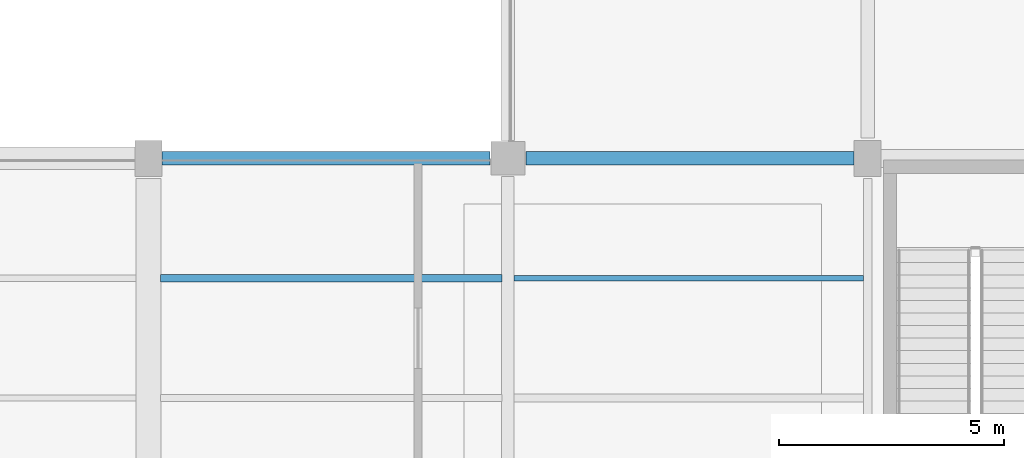
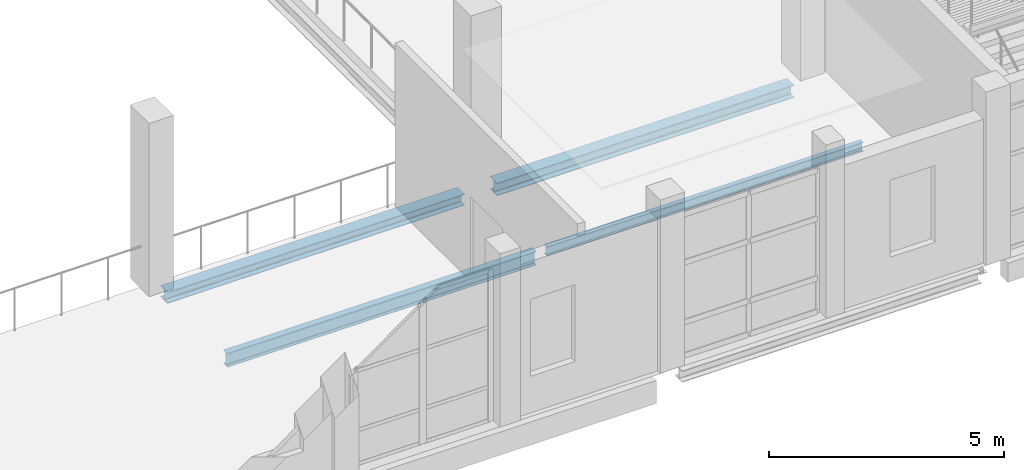
# One storey, part 98 of 183: 4 beams.
"""IFC4 building model written with IfcOpenShell, lengths in metres."""

from ifc_helpers import new_model, si_unit, direction, frame, origin, origin_2d, place, context, subcontext, project, spatial, i_section, extrude, material, material_profile, profile_set, type_object, element, save


model = new_model("IFC4")

# Units and contexts
model_context = context("Model", 3, precision=1e-05, world=origin(), true_north=direction((0.0, 1.0)))
body_context = subcontext(model_context, "Body", "Model", "MODEL_VIEW")
ifc_project = project(units=[si_unit("LENGTHUNIT", "METRE"), si_unit("AREAUNIT", "SQUARE_METRE"), si_unit("VOLUMEUNIT", "CUBIC_METRE"), si_unit("PLANEANGLEUNIT", "RADIAN"), si_unit("MASSUNIT", "GRAM", prefix="KILO")], contexts=[model_context])

# Site, building, storey
site_placement = place(None, origin())
site = spatial("IfcSite", under=ifc_project, at=site_placement, CompositionType="ELEMENT")
building_placement = place(site_placement, origin())
building = spatial("IfcBuilding", under=site, at=building_placement, Name="Luwemba Playhouse", CompositionType="ELEMENT")
storey_placement = place(building_placement, frame((0.0, 0.0, 4.800048828125)))
storey = spatial("IfcBuildingStorey", under=building, at=storey_placement, Name="L01", CompositionType="ELEMENT", Elevation=4.800048828125)

# Beams
ifc_material = material(Name="Steel S355", Category="steel")
ifc_material_profile_1 = material_profile(ifc_material, i_section(OverallWidth=0.300048828125, OverallDepth=0.2900390625, WebThickness=0.008544921875, FlangeThickness=0.013916015625, FilletRadius=0.027099609375, at=origin_2d()))
ifc_profile_set_1 = profile_set([ifc_material_profile_1], Name="Steel S355")
beam_type_1 = type_object("IfcBeamType", Name="BM-SB03", PredefinedType="BEAM", material=ifc_profile_set_1)
beam_1_placement = place(storey_placement, frame((148.300048828125, 44.0, -0.39501953125), z_axis=(1.0, 0.0, 0.0), x_axis=(0.0, 1.0, 0.0)))
element("IfcBeam", 1, at=beam_1_placement, inside=storey, type_object=beam_type_1, Name="L01 grid girder 0411", PredefinedType="BEAM", context=body_context, shape_type="SweptSolid", body=[
    extrude(i_section(OverallWidth=0.300048828125, OverallDepth=0.2900390625, WebThickness=0.008544921875, FlangeThickness=0.013916015625, FilletRadius=0.027099609375, at=origin_2d()), origin(), (0.0, 0.0, 1.0), 7.300048828125),
])
ifc_material_profile_2 = material_profile(ifc_material, i_section(OverallWidth=0.300048828125, OverallDepth=0.330078125, WebThickness=0.009521484375, FlangeThickness=0.0166015625, FilletRadius=0.027099609375, at=origin_2d()))
ifc_profile_set_2 = profile_set([ifc_material_profile_2], Name="Steel S355")
beam_type_2 = type_object("IfcBeamType", Name="BM-SB04", PredefinedType="BEAM", material=ifc_profile_set_2)
beam_2_placement = place(storey_placement, frame((156.39990234375, 44.0, -0.4150390625), z_axis=(1.0, 0.0, 0.0), x_axis=(0.0, 1.0, 0.0)))
element("IfcBeam", 2, at=beam_2_placement, inside=storey, type_object=beam_type_2, Name="L01 grid girder 0412", PredefinedType="BEAM", context=body_context, shape_type="SweptSolid", body=[
    extrude(i_section(OverallWidth=0.300048828125, OverallDepth=0.330078125, WebThickness=0.009521484375, FlangeThickness=0.0166015625, FilletRadius=0.027099609375, at=origin_2d()), origin(), (0.0, 0.0, 1.0), 7.300048828125),
])
ifc_material_profile_3 = material_profile(ifc_material, i_section(OverallWidth=0.1201171875, OverallDepth=0.239990234375, WebThickness=0.006103515625, FlangeThickness=0.009765625, FilletRadius=0.014892578125, at=origin_2d()))
ifc_profile_set_3 = profile_set([ifc_material_profile_3], Name="Steel S355")
beam_type_3 = type_object("IfcBeamType", Name="BM-SJ03", PredefinedType="JOIST", material=ifc_profile_set_3)
beam_3_placement = place(storey_placement, frame((156.135986328125, 41.333251953125, -0.3701171875), z_axis=(1.0, 0.0, 0.0), x_axis=(0.0, 1.0, 0.0)))
element("IfcBeam", 3, at=beam_3_placement, inside=storey, type_object=beam_type_3, Name="L01 composite floor joist 0262", PredefinedType="JOIST", context=body_context, shape_type="SweptSolid", body=[
    extrude(i_section(OverallWidth=0.1201171875, OverallDepth=0.239990234375, WebThickness=0.006103515625, FlangeThickness=0.009765625, FilletRadius=0.014892578125, at=origin_2d()), origin(), (0.0, 0.0, 1.0), 7.77294921875),
])
ifc_material_profile_4 = material_profile(ifc_material, i_section(OverallWidth=0.169921875, OverallDepth=0.360107421875, WebThickness=0.008056640625, FlangeThickness=0.0126953125, FilletRadius=0.01806640625, at=origin_2d()))
ifc_profile_set_4 = profile_set([ifc_material_profile_4], Name="Steel S355")
beam_type_4 = type_object("IfcBeamType", Name="BM-SJ07", PredefinedType="JOIST", material=ifc_profile_set_4)
beam_4_placement = place(storey_placement, frame((148.27099609375, 41.333251953125, -0.429931640625), z_axis=(1.0, 0.0, 0.0), x_axis=(0.0, 1.0, 0.0)))
element("IfcBeam", 4, at=beam_4_placement, inside=storey, type_object=beam_type_4, Name="L01 composite floor joist 0260", PredefinedType="JOIST", context=body_context, shape_type="SweptSolid", body=[
    extrude(i_section(OverallWidth=0.169921875, OverallDepth=0.360107421875, WebThickness=0.008056640625, FlangeThickness=0.0126953125, FilletRadius=0.01806640625, at=origin_2d()), origin(), (0.0, 0.0, 1.0), 7.593017578125),
])

save(model, "model.ifc")
